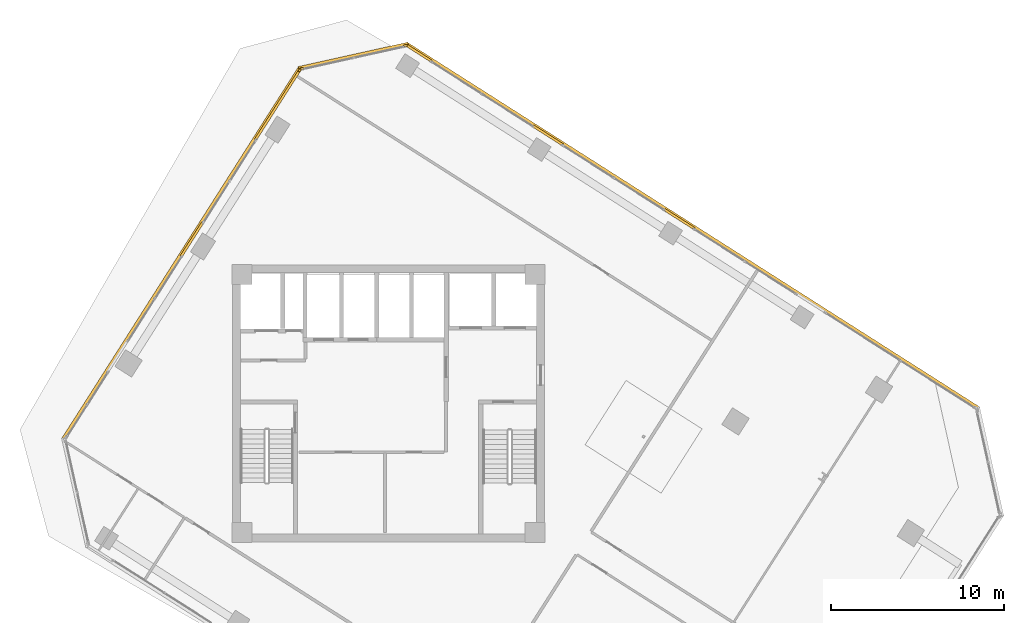
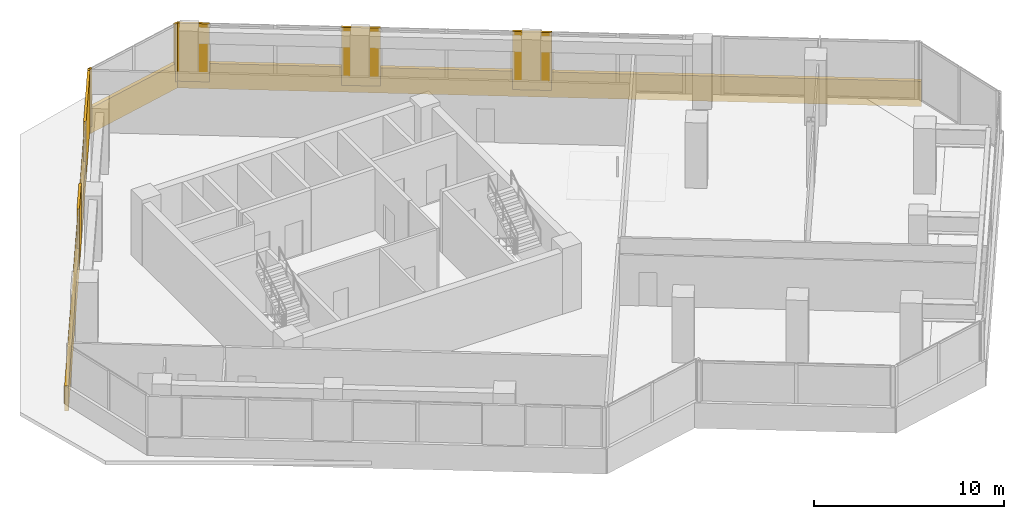
# One storey, part 23 of 23: 11 coverings.
"""IFC4 building model written with IfcOpenShell, lengths in metres."""

from ifc_helpers import new_model, si_unit, direction, frame, origin, origin_2d, place, context, subcontext, project, spatial, rectangle, extrude, source, transform, mapped, material, layer, layer_set, type_object, element, save


model = new_model("IFC4")

# Units and contexts
model_context = context("Model", 3, precision=1e-05, world=origin(), true_north=direction((0.0, 1.0)))
body_context = subcontext(model_context, "Body", "Model", "MODEL_VIEW")
ifc_project = project(units=[si_unit("LENGTHUNIT", "METRE"), si_unit("AREAUNIT", "SQUARE_METRE"), si_unit("VOLUMEUNIT", "CUBIC_METRE"), si_unit("PLANEANGLEUNIT", "RADIAN"), si_unit("MASSUNIT", "GRAM", prefix="KILO")], contexts=[model_context])

# Site, building, storey
site_placement = place(None, origin())
site = spatial("IfcSite", under=ifc_project, at=site_placement, CompositionType="ELEMENT")
building_placement = place(site_placement, origin())
building = spatial("IfcBuilding", under=site, at=building_placement, Name="Torre Montelarca", CompositionType="ELEMENT")
storey_placement = place(building_placement, frame((0.0, 0.0, 187.60009765625)))
storey = spatial("IfcBuildingStorey", under=building, at=storey_placement, Name="L42", CompositionType="ELEMENT", Elevation=187.60009765625)

# Coverings
ifc_material = material(Name="Bush-hammered warm white precast concrete C45/55", Category="concrete")
ifc_layer = layer(ifc_material, 0.139892578125, Name="Bush-hammered warm white precast concrete C45/55", Category="concrete")
ifc_layer_set = layer_set([ifc_layer], Name="Bush-hammered warm white precast concrete C45/55")
covering_type = type_object("IfcCoveringType", Name="COV-TRAY-CLAD", PredefinedType="CLADDING", material=ifc_layer_set)
shared_shape_1 = source(origin(), body_context, "Body", "SweptSolid", [
    extrude(rectangle(XDim=6.48388671875, YDim=0.219970703125, at=origin_2d()), origin(), (0.0, 0.0, 1.0), 1.6201171875),
])
covering_1_placement = place(storey_placement, frame((15.971435546875, 52.037353515625, -0.4501953125), z_axis=(0.0, 0.0, 1.0), x_axis=(-0.976296384877, -0.21643790998, 0.0)))
element("IfcCovering", 1, at=covering_1_placement, inside=storey, type_object=covering_type, Name="L42 Architectural White Spandrel Tray Band TRYBOT-09", PredefinedType="CLADDING", context=body_context, shape_type="MappedRepresentation", body=[
    mapped(shared_shape_1, transform((0.0, 0.0, 0.0), scale=1.0)),
])
shared_shape_2 = source(origin(), body_context, "Body", "SweptSolid", [
    extrude(rectangle(XDim=25.52001953125, YDim=0.219970703125, at=origin_2d()), origin(), (0.0, 0.0, 1.0), 1.6201171875),
])
covering_2_placement = place(storey_placement, frame((6.06005859375, 40.650634765625, -0.4501953125), z_axis=(0.0, 0.0, 1.0), x_axis=(-0.53729813635, -0.843392383576, 0.0)))
element("IfcCovering", 2, at=covering_2_placement, inside=storey, type_object=covering_type, Name="L42 Architectural White Spandrel Tray Band TRYBOT-10", PredefinedType="CLADDING", context=body_context, shape_type="MappedRepresentation", body=[
    mapped(shared_shape_2, transform((0.0, 0.0, 0.0), scale=1.0)),
])
shared_shape_3 = source(origin(), body_context, "Body", "SweptSolid", [
    extrude(rectangle(XDim=0.199951171875, YDim=0.139892578125, at=origin_2d()), origin(), (0.0, 0.0, 1.0), 3.719970703125),
])
for number, where, z_axis, x_axis, name in (
    (3, (18.977783203125, 52.642333984375, 0.0), (0.0, 0.0, 1.0), (-0.976296762631, -0.216436206021, 0.0), "L42 Architectural Column Pier Cladding E09-1"),
    (4, (12.990966796875, 51.315185546875, 0.0), (0.0, 0.0, 1.0), (-0.976296762631, -0.216436206021, 0.0), "L42 Architectural Column Pier Cladding E09-2"),
    (5, (12.8720703125, 51.231689453125, 0.0), (0.0, 0.0, 1.0), (-0.537301080342, -0.843390508047, 0.0), "L42 Architectural Column Pier Cladding E10-1"),
):
    element("IfcCovering", number, at=place(storey_placement, frame(where, z_axis=z_axis, x_axis=x_axis)), inside=storey, type_object=covering_type, Name=name, PredefinedType="CLADDING", context=body_context, shape_type="MappedRepresentation", body=[
        mapped(shared_shape_3, transform((0.0, 0.0, 0.0), scale=1.0)),
    ])
shared_shape_4 = source(origin(), body_context, "Body", "SweptSolid", [
    extrude(rectangle(XDim=4.76416015625, YDim=0.139892578125, at=origin_2d()), origin(), (0.0, 0.0, 1.0), 3.719970703125),
])
covering_3_placement = place(storey_placement, frame((11.59228515625, 49.222900390625, 0.0), z_axis=(0.0, 0.0, 1.0), x_axis=(-0.537301080342, -0.843390508047, 0.0)))
element("IfcCovering", 6, at=covering_3_placement, inside=storey, type_object=covering_type, Name="L42 Architectural Column Pier Cladding E10-2", PredefinedType="CLADDING", context=body_context, shape_type="MappedRepresentation", body=[
    mapped(shared_shape_4, transform((0.0, 0.0, 0.0), scale=1.0)),
])
shared_shape_5 = source(origin(), body_context, "Body", "SweptSolid", [
    extrude(rectangle(XDim=2.360107421875, YDim=0.139892578125, at=origin_2d()), origin(), (0.0, 0.0, 1.0), 3.719970703125),
])
covering_4_placement = place(storey_placement, frame((6.64794921875, 41.4619140625, 0.0), z_axis=(0.0, 0.0, 1.0), x_axis=(-0.537301080342, -0.843390508047, 0.0)))
element("IfcCovering", 7, at=covering_4_placement, inside=storey, type_object=covering_type, Name="L42 Architectural Column Pier Cladding E10-3", PredefinedType="CLADDING", context=body_context, shape_type="MappedRepresentation", body=[
    mapped(shared_shape_5, transform((0.0, 0.0, 0.0), scale=1.0)),
])
shared_shape_6 = source(origin(), body_context, "Body", "SweptSolid", [
    extrude(rectangle(XDim=39.219970703125, YDim=0.219970703125, at=origin_2d()), origin(), (0.0, 0.0, 1.0), 1.6201171875),
])
covering_5_placement = place(storey_placement, frame((35.543701171875, 42.225830078125, -0.4501953125), z_axis=(0.0, 0.0, 1.0), x_axis=(-0.843391445813, 0.537299608347, 0.0)))
element("IfcCovering", 8, at=covering_5_placement, inside=storey, type_object=covering_type, Name="L42 Architectural White Spandrel Tray Band TRYBOT-08", PredefinedType="CLADDING", context=body_context, shape_type="MappedRepresentation", body=[
    mapped(shared_shape_6, transform((0.0, 0.0, 0.0), scale=1.0)),
])
shared_shape_7 = source(origin(), body_context, "Body", "SweptSolid", [
    extrude(rectangle(XDim=1.714111328125, YDim=0.139892578125, at=origin_2d()), origin(), (0.0, 0.0, 1.0), 3.719970703125),
])
covering_6_placement = place(storey_placement, frame((19.759521484375, 52.21044921875, 0.0), z_axis=(0.0, 0.0, 1.0), x_axis=(-0.843390508047, 0.537301080342, 0.0)))
element("IfcCovering", 9, at=covering_6_placement, inside=storey, type_object=covering_type, Name="L42 Architectural Column Pier Cladding E08-5", PredefinedType="CLADDING", context=body_context, shape_type="MappedRepresentation", body=[
    mapped(shared_shape_7, transform((0.0, 0.0, 0.0), scale=1.0)),
])
shared_shape_8 = source(origin(), body_context, "Body", "SweptSolid", [
    extrude(rectangle(XDim=2.06005859375, YDim=0.139892578125, at=origin_2d()), origin(), (0.0, 0.0, 1.0), 3.719970703125),
])
for number, where, z_axis, x_axis, name in (
    (10, (34.79443359375, 42.6318359375, 0.0), (0.0, 0.0, 1.0), (-0.843390508047, 0.537301080342, 0.0), "L42 Architectural Column Pier Cladding E08-3"),
    (11, (27.2041015625, 47.467529296875, 0.0), (0.0, 0.0, 1.0), (-0.843390508047, 0.537301080342, 0.0), "L42 Architectural Column Pier Cladding E08-4"),
):
    element("IfcCovering", number, at=place(storey_placement, frame(where, z_axis=z_axis, x_axis=x_axis)), inside=storey, type_object=covering_type, Name=name, PredefinedType="CLADDING", context=body_context, shape_type="MappedRepresentation", body=[
        mapped(shared_shape_8, transform((0.0, 0.0, 0.0), scale=1.0)),
    ])

save(model, "model.ifc")
